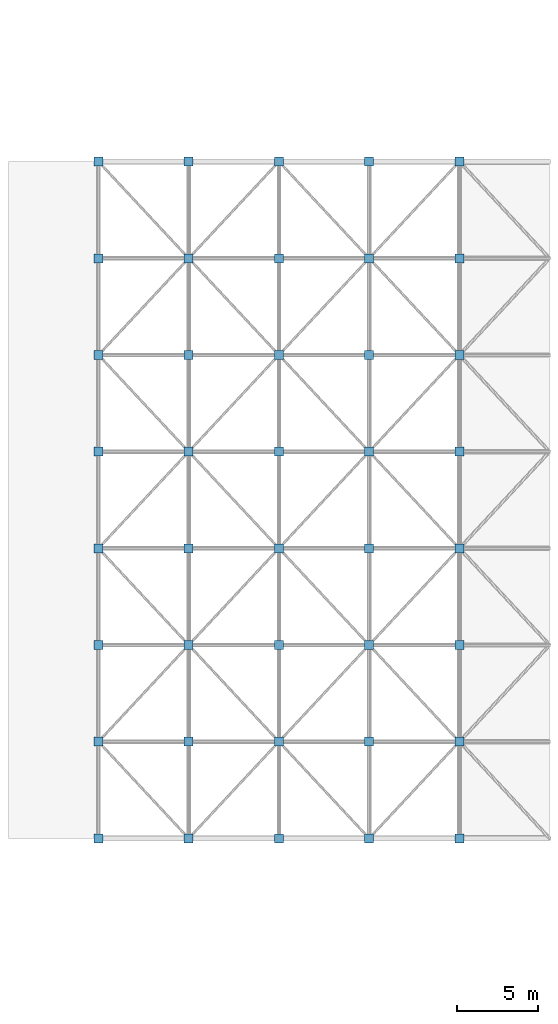
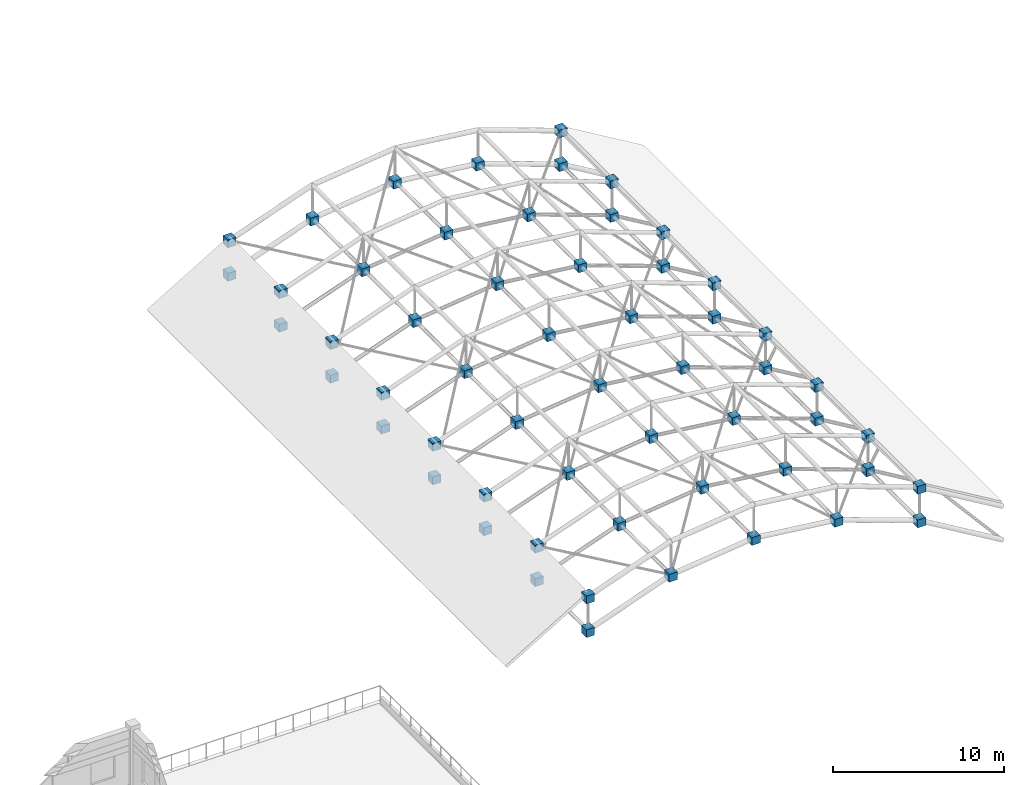
# One storey, part 128 of 140: 56 discrete accessories.
"""IFC4 building model written with IfcOpenShell, lengths in metres."""

from ifc_helpers import new_model, si_unit, direction, frame, origin, origin_2d, place, context, subcontext, project, spatial, rectangle, extrude, material, type_object, element, save


model = new_model("IFC4")

# Units and contexts
model_context = context("Model", 3, precision=1e-05, world=origin(), true_north=direction((0.0, 1.0)))
body_context = subcontext(model_context, "Body", "Model", "MODEL_VIEW")
ifc_project = project(units=[si_unit("LENGTHUNIT", "METRE"), si_unit("AREAUNIT", "SQUARE_METRE"), si_unit("VOLUMEUNIT", "CUBIC_METRE"), si_unit("PLANEANGLEUNIT", "RADIAN"), si_unit("MASSUNIT", "GRAM", prefix="KILO")], contexts=[model_context])

# Site, building, storey
site_placement = place(None, origin())
site = spatial("IfcSite", under=ifc_project, at=site_placement, CompositionType="ELEMENT")
building_placement = place(site_placement, origin())
building = spatial("IfcBuilding", under=site, at=building_placement, Name="Trelvath General Hospital", CompositionType="ELEMENT")
storey_placement = place(building_placement, frame((0.0, 0.0, 16.199951171875)))
storey = spatial("IfcBuildingStorey", under=building, at=storey_placement, Name="L04", CompositionType="ELEMENT", Elevation=16.199951171875)

# Discrete accessories
ifc_material = material(Name="Steel S355", Category="steel")
discrete_accessory_type = type_object("IfcDiscreteAccessoryType", Name="SpaceFrameNodeHub S355", PredefinedType="BRACKET", material=ifc_material)
for number, where, z_axis, x_axis, name in (
    (1, (148.39990234375, 25.199951171875, -0.24658203125), (0.0, 0.0, 1.0), (1.0, 0.0, 0.0), "Space Frame Node Hub B1-0"),
    (2, (148.39990234375, 25.199951171875, 2.1533203125), (0.0, 0.0, 1.0), (1.0, 0.0, 0.0), "Space Frame Node Hub T1-0"),
    (3, (148.39990234375, 31.199951171875, -0.24658203125), (0.0, 0.0, 1.0), (1.0, 0.0, 0.0), "Space Frame Node Hub B1-1"),
    (4, (148.39990234375, 31.199951171875, 2.1533203125), (0.0, 0.0, 1.0), (1.0, 0.0, 0.0), "Space Frame Node Hub T1-1"),
    (5, (148.39990234375, 37.199951171875, -0.24658203125), (0.0, 0.0, 1.0), (1.0, 0.0, 0.0), "Space Frame Node Hub B1-2"),
    (6, (148.39990234375, 37.199951171875, 2.1533203125), (0.0, 0.0, 1.0), (1.0, 0.0, 0.0), "Space Frame Node Hub T1-2"),
    (7, (148.39990234375, 43.199951171875, -0.24658203125), (0.0, 0.0, 1.0), (1.0, 0.0, 0.0), "Space Frame Node Hub B1-3"),
    (8, (148.39990234375, 43.199951171875, 2.1533203125), (0.0, 0.0, 1.0), (1.0, 0.0, 0.0), "Space Frame Node Hub T1-3"),
    (9, (148.39990234375, 49.199951171875, -0.24658203125), (0.0, 0.0, 1.0), (1.0, 0.0, 0.0), "Space Frame Node Hub B1-4"),
    (10, (148.39990234375, 49.199951171875, 2.1533203125), (0.0, 0.0, 1.0), (1.0, 0.0, 0.0), "Space Frame Node Hub T1-4"),
    (11, (148.39990234375, 55.199951171875, -0.24658203125), (0.0, 0.0, 1.0), (1.0, 0.0, 0.0), "Space Frame Node Hub B1-5"),
    (12, (148.39990234375, 55.199951171875, 2.1533203125), (0.0, 0.0, 1.0), (1.0, 0.0, 0.0), "Space Frame Node Hub T1-5"),
    (13, (148.39990234375, 61.199951171875, -0.24658203125), (0.0, 0.0, 1.0), (1.0, 0.0, 0.0), "Space Frame Node Hub B1-6"),
    (14, (148.39990234375, 61.199951171875, 2.1533203125), (0.0, 0.0, 1.0), (1.0, 0.0, 0.0), "Space Frame Node Hub T1-6"),
    (15, (148.39990234375, 67.199951171875, -0.24658203125), (0.0, 0.0, 1.0), (1.0, 0.0, 0.0), "Space Frame Node Hub B1-7"),
    (16, (148.39990234375, 67.199951171875, 2.1533203125), (0.0, 0.0, 1.0), (1.0, 0.0, 0.0), "Space Frame Node Hub T1-7"),
    (17, (154.0, 25.199951171875, 1.75341796875), (0.0, 0.0, 1.0), (1.0, 0.0, 0.0), "Space Frame Node Hub B2-0"),
    (18, (154.0, 31.199951171875, 1.75341796875), (0.0, 0.0, 1.0), (1.0, 0.0, 0.0), "Space Frame Node Hub B2-1"),
    (19, (154.0, 37.199951171875, 1.75341796875), (0.0, 0.0, 1.0), (1.0, 0.0, 0.0), "Space Frame Node Hub B2-2"),
    (20, (154.0, 43.199951171875, 1.75341796875), (0.0, 0.0, 1.0), (1.0, 0.0, 0.0), "Space Frame Node Hub B2-3"),
    (21, (154.0, 49.199951171875, 1.75341796875), (0.0, 0.0, 1.0), (1.0, 0.0, 0.0), "Space Frame Node Hub B2-4"),
    (22, (154.0, 55.199951171875, 1.75341796875), (0.0, 0.0, 1.0), (1.0, 0.0, 0.0), "Space Frame Node Hub B2-5"),
    (23, (154.0, 61.199951171875, 1.75341796875), (0.0, 0.0, 1.0), (1.0, 0.0, 0.0), "Space Frame Node Hub B2-6"),
    (24, (154.0, 67.199951171875, 1.75341796875), (0.0, 0.0, 1.0), (1.0, 0.0, 0.0), "Space Frame Node Hub B2-7"),
    (25, (159.60009765625, 25.199951171875, 2.419921875), (0.0, 0.0, 1.0), (1.0, 0.0, 0.0), "Space Frame Node Hub B3-0"),
    (26, (159.60009765625, 31.199951171875, 2.419921875), (0.0, 0.0, 1.0), (1.0, 0.0, 0.0), "Space Frame Node Hub B3-1"),
    (27, (159.60009765625, 37.199951171875, 2.419921875), (0.0, 0.0, 1.0), (1.0, 0.0, 0.0), "Space Frame Node Hub B3-2"),
    (28, (159.60009765625, 43.199951171875, 2.419921875), (0.0, 0.0, 1.0), (1.0, 0.0, 0.0), "Space Frame Node Hub B3-3"),
    (29, (159.60009765625, 49.199951171875, 2.419921875), (0.0, 0.0, 1.0), (1.0, 0.0, 0.0), "Space Frame Node Hub B3-4"),
    (30, (159.60009765625, 55.199951171875, 2.419921875), (0.0, 0.0, 1.0), (1.0, 0.0, 0.0), "Space Frame Node Hub B3-5"),
    (31, (159.60009765625, 61.199951171875, 2.419921875), (0.0, 0.0, 1.0), (1.0, 0.0, 0.0), "Space Frame Node Hub B3-6"),
    (32, (159.60009765625, 67.199951171875, 2.419921875), (0.0, 0.0, 1.0), (1.0, 0.0, 0.0), "Space Frame Node Hub B3-7"),
    (33, (165.199951171875, 25.199951171875, 1.75341796875), (0.0, 0.0, 1.0), (1.0, 0.0, 0.0), "Space Frame Node Hub B4-0"),
    (34, (165.199951171875, 31.199951171875, 1.75341796875), (0.0, 0.0, 1.0), (1.0, 0.0, 0.0), "Space Frame Node Hub B4-1"),
    (35, (165.199951171875, 37.199951171875, 1.75341796875), (0.0, 0.0, 1.0), (1.0, 0.0, 0.0), "Space Frame Node Hub B4-2"),
    (36, (165.199951171875, 43.199951171875, 1.75341796875), (0.0, 0.0, 1.0), (1.0, 0.0, 0.0), "Space Frame Node Hub B4-3"),
    (37, (165.199951171875, 49.199951171875, 1.75341796875), (0.0, 0.0, 1.0), (1.0, 0.0, 0.0), "Space Frame Node Hub B4-4"),
    (38, (165.199951171875, 55.199951171875, 1.75341796875), (0.0, 0.0, 1.0), (1.0, 0.0, 0.0), "Space Frame Node Hub B4-5"),
    (39, (165.199951171875, 61.199951171875, 1.75341796875), (0.0, 0.0, 1.0), (1.0, 0.0, 0.0), "Space Frame Node Hub B4-6"),
    (40, (165.199951171875, 67.199951171875, 1.75341796875), (0.0, 0.0, 1.0), (1.0, 0.0, 0.0), "Space Frame Node Hub B4-7"),
    (41, (170.800048828125, 25.199951171875, -0.24658203125), (0.0, 0.0, 1.0), (1.0, 0.0, 0.0), "Space Frame Node Hub B5-0"),
    (42, (170.800048828125, 25.199951171875, 2.1533203125), (0.0, 0.0, 1.0), (1.0, 0.0, 0.0), "Space Frame Node Hub T5-0"),
    (43, (170.800048828125, 31.199951171875, -0.24658203125), (0.0, 0.0, 1.0), (1.0, 0.0, 0.0), "Space Frame Node Hub B5-1"),
    (44, (170.800048828125, 31.199951171875, 2.1533203125), (0.0, 0.0, 1.0), (1.0, 0.0, 0.0), "Space Frame Node Hub T5-1"),
    (45, (170.800048828125, 37.199951171875, -0.24658203125), (0.0, 0.0, 1.0), (1.0, 0.0, 0.0), "Space Frame Node Hub B5-2"),
    (46, (170.800048828125, 37.199951171875, 2.1533203125), (0.0, 0.0, 1.0), (1.0, 0.0, 0.0), "Space Frame Node Hub T5-2"),
    (47, (170.800048828125, 43.199951171875, -0.24658203125), (0.0, 0.0, 1.0), (1.0, 0.0, 0.0), "Space Frame Node Hub B5-3"),
    (48, (170.800048828125, 43.199951171875, 2.1533203125), (0.0, 0.0, 1.0), (1.0, 0.0, 0.0), "Space Frame Node Hub T5-3"),
    (49, (170.800048828125, 49.199951171875, -0.24658203125), (0.0, 0.0, 1.0), (1.0, 0.0, 0.0), "Space Frame Node Hub B5-4"),
    (50, (170.800048828125, 49.199951171875, 2.1533203125), (0.0, 0.0, 1.0), (1.0, 0.0, 0.0), "Space Frame Node Hub T5-4"),
    (51, (170.800048828125, 55.199951171875, -0.24658203125), (0.0, 0.0, 1.0), (1.0, 0.0, 0.0), "Space Frame Node Hub B5-5"),
    (52, (170.800048828125, 55.199951171875, 2.1533203125), (0.0, 0.0, 1.0), (1.0, 0.0, 0.0), "Space Frame Node Hub T5-5"),
    (53, (170.800048828125, 61.199951171875, -0.24658203125), (0.0, 0.0, 1.0), (1.0, 0.0, 0.0), "Space Frame Node Hub B5-6"),
    (54, (170.800048828125, 61.199951171875, 2.1533203125), (0.0, 0.0, 1.0), (1.0, 0.0, 0.0), "Space Frame Node Hub T5-6"),
    (55, (170.800048828125, 67.199951171875, -0.24658203125), (0.0, 0.0, 1.0), (1.0, 0.0, 0.0), "Space Frame Node Hub B5-7"),
    (56, (170.800048828125, 67.199951171875, 2.1533203125), (0.0, 0.0, 1.0), (1.0, 0.0, 0.0), "Space Frame Node Hub T5-7"),
):
    element("IfcDiscreteAccessory", number, at=place(storey_placement, frame(where, z_axis=z_axis, x_axis=x_axis)), inside=storey, type_object=discrete_accessory_type, Name=name, PredefinedType="BRACKET", context=body_context, shape_type="SweptSolid", body=[
        extrude(rectangle(XDim=0.56005859375, YDim=0.56005859375, at=origin_2d()), origin(), (0.0, 0.0, 1.0), 0.56005859375),
    ])

save(model, "model.ifc")
